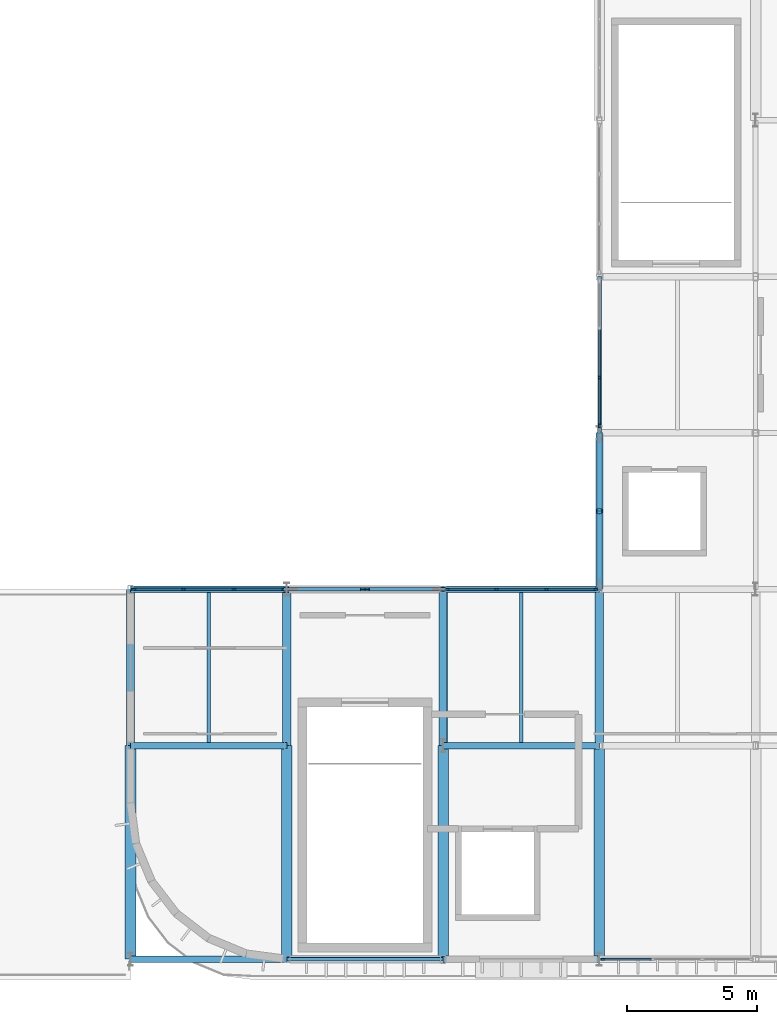
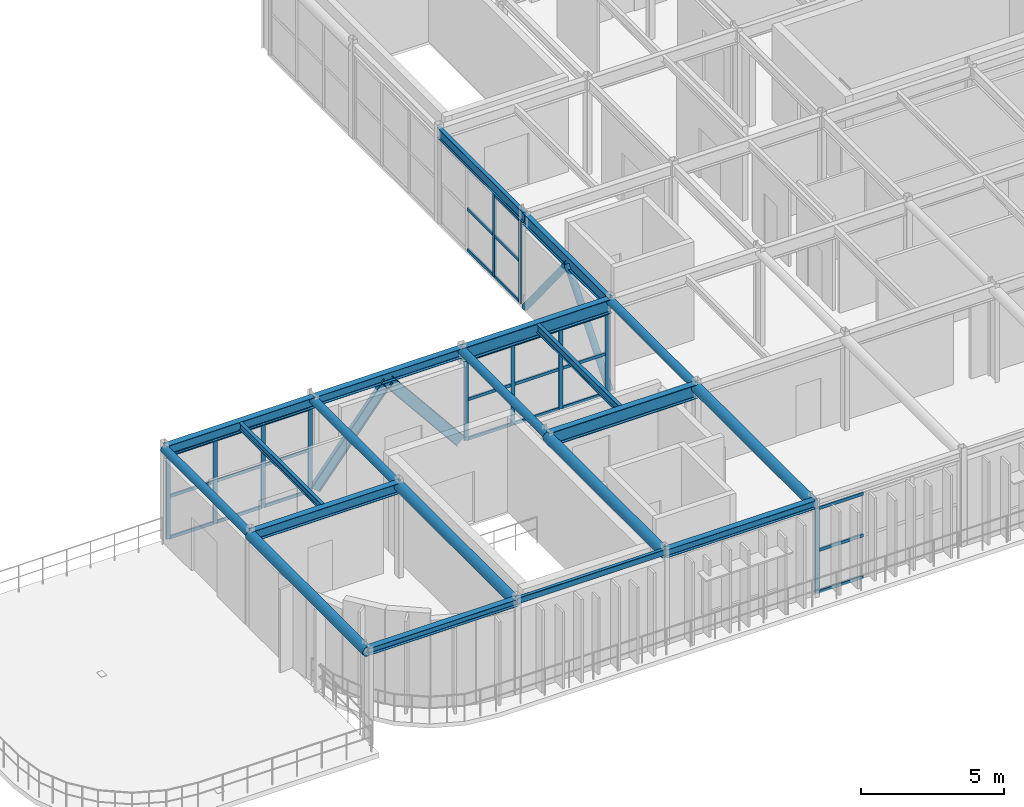
# One storey, part 4 of 14: 41 members, 20 beams, 4 elements without a shape of their own.
"""IFC4 building model written with IfcOpenShell, lengths in metres."""

from ifc_helpers import new_model, si_unit, direction, frame, origin, origin_2d, place, context, subcontext, project, spatial, rectangle, hollow_rectangle, hollow_circle, i_section, extrude, material, material_profile, profile_set, type_object, element, aggregate, save


model = new_model("IFC4")

# Units and contexts
model_context = context("Model", 3, precision=1e-05, world=origin(), true_north=direction((0.0, 1.0)))
body_context = subcontext(model_context, "Body", "Model", "MODEL_VIEW")
ifc_project = project(units=[si_unit("LENGTHUNIT", "METRE"), si_unit("AREAUNIT", "SQUARE_METRE"), si_unit("VOLUMEUNIT", "CUBIC_METRE"), si_unit("PLANEANGLEUNIT", "RADIAN"), si_unit("MASSUNIT", "GRAM", prefix="KILO")], contexts=[model_context])

# Site, building, storey
site_placement = place(None, origin())
site = spatial("IfcSite", under=ifc_project, at=site_placement, CompositionType="ELEMENT")
building_placement = place(site_placement, origin())
building = spatial("IfcBuilding", under=site, at=building_placement, Name="Varnakota Square Police Headquarters", CompositionType="ELEMENT")
storey_placement = place(building_placement, frame((0.0, 0.0, 30.0)))
storey = spatial("IfcBuildingStorey", under=building, at=storey_placement, Name="L07", CompositionType="ELEMENT", Elevation=30.0)

# Beams
ifc_material_1 = material(Name="Steel IS 2062 Grade 350", Category="steel")
ifc_material_profile_1 = material_profile(ifc_material_1, hollow_circle(Radius=0.161865234375, WallThickness=0.0126953125, at=origin_2d()), Name="CHS 323.9x12.7")
ifc_profile_set_1 = profile_set([ifc_material_profile_1], Name="Steel IS 2062 Grade 350")
beam_type_1 = type_object("IfcBeamType", Name="BM-ARC-CHS324", PredefinedType="BEAM", material=ifc_profile_set_1)
for number, where, z_axis, x_axis, name in (
    (1, (120.0, 9.0, 3.878173828125), (0.0, 1.0, 0.0), (-1.0, 0.0, 0.0), "BMG-L07-3422"),
    (2, (126.0, 9.0, 3.878173828125), (0.0, 1.0, 0.0), (-1.0, 0.0, 0.0), "BMG-L07-3424"),
    (3, (132.0, 9.0, 3.878173828125), (0.0, 1.0, 0.0), (-1.0, 0.0, 0.0), "BMG-L07-3426"),
    (4, (138.0, 9.0, 3.878173828125), (0.0, 1.0, 0.0), (-1.0, 0.0, 0.0), "BMG-L07-3428"),
):
    element("IfcBeam", number, at=place(storey_placement, frame(where, z_axis=z_axis, x_axis=x_axis)), inside=storey, type_object=beam_type_1, Name=name, PredefinedType="BEAM", context=body_context, shape_type="SweptSolid", body=[
        extrude(hollow_circle(Radius=0.161865234375, WallThickness=0.0126953125, at=origin_2d()), origin(), (0.0, 0.0, 1.0), 6.0),
    ])
ifc_material_profile_2 = material_profile(ifc_material_1, hollow_circle(Radius=0.203125, WallThickness=0.01611328125, at=origin_2d()), Name="CHS 406.4x16.0")
ifc_profile_set_2 = profile_set([ifc_material_profile_2], Name="Steel IS 2062 Grade 350")
beam_type_2 = type_object("IfcBeamType", Name="BM-ARC-CHS406", PredefinedType="BEAM", material=ifc_profile_set_2)
for number, where, z_axis, x_axis, name in (
    (5, (120.0, 0.800048828125, 3.8369140625), (0.0, 1.0, 0.0), (-1.0, 0.0, 0.0), "BMG-L07-3421"),
    (6, (126.0, 0.800048828125, 3.8369140625), (0.0, 1.0, 0.0), (-1.0, 0.0, 0.0), "BMG-L07-3423"),
    (7, (132.0, 0.800048828125, 3.8369140625), (0.0, 1.0, 0.0), (-1.0, 0.0, 0.0), "BMG-L07-3425"),
    (8, (138.0, 0.800048828125, 3.8369140625), (0.0, 1.0, 0.0), (-1.0, 0.0, 0.0), "BMG-L07-3427"),
):
    element("IfcBeam", number, at=place(storey_placement, frame(where, z_axis=z_axis, x_axis=x_axis)), inside=storey, type_object=beam_type_2, Name=name, PredefinedType="BEAM", context=body_context, shape_type="SweptSolid", body=[
        extrude(hollow_circle(Radius=0.203125, WallThickness=0.01611328125, at=origin_2d()), origin(), (0.0, 0.0, 1.0), 8.199951171875),
    ])
ifc_material_profile_3 = material_profile(ifc_material_1, hollow_rectangle(XDim=0.14990234375, YDim=0.25, WallThickness=0.010009765625, InnerFilletRadius=0.010009765625, OuterFilletRadius=0.02001953125, at=origin_2d()), Name="RHS 250x150x10")
ifc_profile_set_3 = profile_set([ifc_material_profile_3], Name="Steel IS 2062 Grade 350")
beam_type_3 = type_object("IfcBeamType", Name="BM-CBEAM-RHS250", PredefinedType="BEAM", material=ifc_profile_set_3)
beam_1_placement = place(storey_placement, frame((126.0, 0.800048828125, 3.9150390625), z_axis=(1.0, 0.0, 0.0), x_axis=(0.0, 1.0, 0.0)))
element("IfcBeam", 9, at=beam_1_placement, inside=storey, type_object=beam_type_3, Name="BMG-L07-3388", PredefinedType="BEAM", context=body_context, shape_type="SweptSolid", body=[
    extrude(hollow_rectangle(XDim=0.14990234375, YDim=0.25, WallThickness=0.010009765625, InnerFilletRadius=0.010009765625, OuterFilletRadius=0.02001953125, at=origin_2d()), origin(), (0.0, 0.0, 1.0), 6.0),
])
ifc_material_profile_4 = material_profile(ifc_material_1, i_section(OverallWidth=0.25, OverallDepth=0.300048828125, WebThickness=0.009521484375, FlangeThickness=0.010498046875, FilletRadius=0.011962890625, at=origin_2d()), Name="ISHB 300")
ifc_profile_set_4 = profile_set([ifc_material_profile_4], Name="Steel IS 2062 Grade 350")
beam_type_4 = type_object("IfcBeamType", Name="BM-ISHB300", PredefinedType="BEAM", material=ifc_profile_set_4)
beam_2_placement = place(storey_placement, frame((120.0, 0.800048828125, 3.889892578125), z_axis=(1.0, 0.0, 0.0), x_axis=(0.0, 1.0, 0.0)))
element("IfcBeam", 10, at=beam_2_placement, inside=storey, type_object=beam_type_4, Name="BMG-L07-3387", PredefinedType="BEAM", context=body_context, shape_type="SweptSolid", body=[
    extrude(i_section(OverallWidth=0.25, OverallDepth=0.300048828125, WebThickness=0.009521484375, FlangeThickness=0.010498046875, FilletRadius=0.011962890625, at=origin_2d()), origin(), (0.0, 0.0, 1.0), 6.0),
])
ifc_material_profile_5 = material_profile(ifc_material_1, i_section(OverallWidth=0.25, OverallDepth=0.35009765625, WebThickness=0.010009765625, FlangeThickness=0.01171875, FilletRadius=0.011962890625, at=origin_2d()), Name="ISHB 350")
ifc_profile_set_5 = profile_set([ifc_material_profile_5], Name="Steel IS 2062 Grade 350")
beam_type_5 = type_object("IfcBeamType", Name="BM-ISHB350", PredefinedType="BEAM", material=ifc_profile_set_5)
beam_3_placement = place(storey_placement, frame((132.0, 0.800048828125, 3.864990234375), z_axis=(1.0, 0.0, 0.0), x_axis=(0.0, 1.0, 0.0)))
element("IfcBeam", 11, at=beam_3_placement, inside=storey, type_object=beam_type_5, Name="BMG-L07-3389", PredefinedType="BEAM", context=body_context, shape_type="SweptSolid", body=[
    extrude(i_section(OverallWidth=0.25, OverallDepth=0.35009765625, WebThickness=0.010009765625, FlangeThickness=0.01171875, FilletRadius=0.011962890625, at=origin_2d()), origin(), (0.0, 0.0, 1.0), 6.0),
])
ifc_material_profile_6 = material_profile(ifc_material_1, i_section(OverallWidth=0.25, OverallDepth=0.39990234375, WebThickness=0.010498046875, FlangeThickness=0.0126953125, FilletRadius=0.013916015625, at=origin_2d()), Name="ISHB 400")
ifc_profile_set_6 = profile_set([ifc_material_profile_6], Name="Steel IS 2062 Grade 350")
beam_type_6 = type_object("IfcBeamType", Name="BM-ISHB400", PredefinedType="BEAM", material=ifc_profile_set_6)
beam_4_placement = place(storey_placement, frame((126.0, 15.0, 3.840087890625), z_axis=(1.0, 0.0, 0.0), x_axis=(0.0, 1.0, 0.0)))
element("IfcBeam", 12, at=beam_4_placement, inside=storey, type_object=beam_type_6, Name="BMG-L07-3400", PredefinedType="BEAM", context=body_context, shape_type="SweptSolid", body=[
    extrude(i_section(OverallWidth=0.25, OverallDepth=0.39990234375, WebThickness=0.010498046875, FlangeThickness=0.0126953125, FilletRadius=0.013916015625, at=origin_2d()), origin(), (0.0, 0.0, 1.0), 6.0),
])
ifc_material_profile_7 = material_profile(ifc_material_1, i_section(OverallWidth=0.25, OverallDepth=0.449951171875, WebThickness=0.01123046875, FlangeThickness=0.013671875, FilletRadius=0.014892578125, at=origin_2d()), Name="ISHB 450")
ifc_profile_set_7 = profile_set([ifc_material_profile_7], Name="Steel IS 2062 Grade 350")
beam_type_7 = type_object("IfcBeamType", Name="BM-ISHB450", PredefinedType="BEAM", material=ifc_profile_set_7)
for number, where, z_axis, x_axis, name in (
    (13, (120.0, 9.0, 3.81494140625), (1.0, 0.0, 0.0), (0.0, 1.0, 0.0), "BMG-L07-3393"),
    (14, (120.0, 15.0, 3.81494140625), (1.0, 0.0, 0.0), (0.0, 1.0, 0.0), "BMG-L07-3399"),
):
    element("IfcBeam", number, at=place(storey_placement, frame(where, z_axis=z_axis, x_axis=x_axis)), inside=storey, type_object=beam_type_7, Name=name, PredefinedType="BEAM", context=body_context, shape_type="SweptSolid", body=[
        extrude(i_section(OverallWidth=0.25, OverallDepth=0.449951171875, WebThickness=0.01123046875, FlangeThickness=0.013671875, FilletRadius=0.014892578125, at=origin_2d()), origin(), (0.0, 0.0, 1.0), 6.0),
    ])
ifc_material_profile_8 = material_profile(ifc_material_1, i_section(OverallWidth=0.139892578125, OverallDepth=0.300048828125, WebThickness=0.0078125, FlangeThickness=0.01318359375, FilletRadius=0.013916015625, at=origin_2d()), Name="ISMB 300")
ifc_profile_set_8 = profile_set([ifc_material_profile_8], Name="Steel IS 2062 Grade 350")
beam_type_8 = type_object("IfcBeamType", Name="BM-ISMB300", PredefinedType="JOIST", material=ifc_profile_set_8)
beam_5_placement = place(storey_placement, frame((123.0, 9.123046875, 3.889892578125), z_axis=(0.0, 1.0, 0.0), x_axis=(-1.0, 0.0, 0.0)))
element("IfcBeam", 15, at=beam_5_placement, inside=storey, type_object=beam_type_8, Name="BMG-L07-3454", PredefinedType="JOIST", context=body_context, shape_type="SweptSolid", body=[
    extrude(i_section(OverallWidth=0.139892578125, OverallDepth=0.300048828125, WebThickness=0.0078125, FlangeThickness=0.01318359375, FilletRadius=0.013916015625, at=origin_2d()), origin(), (0.0, 0.0, 1.0), 5.75390625),
])
ifc_material_profile_9 = material_profile(ifc_material_1, i_section(OverallWidth=0.139892578125, OverallDepth=0.35009765625, WebThickness=0.008056640625, FlangeThickness=0.01416015625, FilletRadius=0.013916015625, at=origin_2d()), Name="ISMB 350")
ifc_profile_set_9 = profile_set([ifc_material_profile_9], Name="Steel IS 2062 Grade 350")
beam_type_9 = type_object("IfcBeamType", Name="BM-ISMB350", PredefinedType="JOIST", material=ifc_profile_set_9)
beam_6_placement = place(storey_placement, frame((135.0, 9.123046875, 3.864990234375), z_axis=(0.0, 1.0, 0.0), x_axis=(-1.0, 0.0, 0.0)))
element("IfcBeam", 16, at=beam_6_placement, inside=storey, type_object=beam_type_9, Name="BMG-L07-3455", PredefinedType="JOIST", context=body_context, shape_type="SweptSolid", body=[
    extrude(i_section(OverallWidth=0.139892578125, OverallDepth=0.35009765625, WebThickness=0.008056640625, FlangeThickness=0.01416015625, FilletRadius=0.013916015625, at=origin_2d()), origin(), (0.0, 0.0, 1.0), 5.75390625),
])
ifc_material_profile_10 = material_profile(ifc_material_1, i_section(OverallWidth=0.14990234375, OverallDepth=0.449951171875, WebThickness=0.009521484375, FlangeThickness=0.017333984375, FilletRadius=0.014892578125, at=origin_2d()), Name="ISMB 450")
ifc_profile_set_10 = profile_set([ifc_material_profile_10], Name="Steel IS 2062 Grade 350")
beam_type_10 = type_object("IfcBeamType", Name="BM-ISMB450", PredefinedType="BEAM", material=ifc_profile_set_10)
beam_7_placement = place(storey_placement, frame((138.0, 21.0, 3.81494140625), z_axis=(0.0, 1.0, 0.0), x_axis=(-1.0, 0.0, 0.0)))
element("IfcBeam", 17, at=beam_7_placement, inside=storey, type_object=beam_type_10, Name="BMG-L07-3430", PredefinedType="BEAM", context=body_context, shape_type="SweptSolid", body=[
    extrude(i_section(OverallWidth=0.14990234375, OverallDepth=0.449951171875, WebThickness=0.009521484375, FlangeThickness=0.017333984375, FilletRadius=0.014892578125, at=origin_2d()), origin(), (0.0, 0.0, 1.0), 6.0),
])
ifc_material_profile_11 = material_profile(ifc_material_1, i_section(OverallWidth=0.179931640625, OverallDepth=0.5, WebThickness=0.01025390625, FlangeThickness=0.01708984375, FilletRadius=0.01708984375, at=origin_2d()), Name="ISMB 500")
ifc_profile_set_11 = profile_set([ifc_material_profile_11], Name="Steel IS 2062 Grade 350")
beam_type_11 = type_object("IfcBeamType", Name="BM-ISMB500", PredefinedType="BEAM", material=ifc_profile_set_11)
beam_8_placement = place(storey_placement, frame((138.0, 15.0, 3.7900390625), z_axis=(0.0, 1.0, 0.0), x_axis=(-1.0, 0.0, 0.0)))
element("IfcBeam", 18, at=beam_8_placement, inside=storey, type_object=beam_type_11, Name="BMG-L07-3429", PredefinedType="BEAM", context=body_context, shape_type="SweptSolid", body=[
    extrude(i_section(OverallWidth=0.179931640625, OverallDepth=0.5, WebThickness=0.01025390625, FlangeThickness=0.01708984375, FilletRadius=0.01708984375, at=origin_2d()), origin(), (0.0, 0.0, 1.0), 6.0),
])
ifc_material_profile_12 = material_profile(ifc_material_1, i_section(OverallWidth=0.25, OverallDepth=0.60009765625, WebThickness=0.01171875, FlangeThickness=0.023681640625, FilletRadius=0.01708984375, at=origin_2d()), Name="ISWB 600")
ifc_profile_set_12 = profile_set([ifc_material_profile_12], Name="Steel IS 2062 Grade 350")
beam_type_12 = type_object("IfcBeamType", Name="BM-ISWB600", PredefinedType="BEAM", material=ifc_profile_set_12)
for number, where, z_axis, x_axis, name in (
    (19, (132.0, 9.0, 3.739990234375), (1.0, 0.0, 0.0), (0.0, 1.0, 0.0), "BMG-L07-3394"),
    (20, (132.0, 15.0, 3.739990234375), (1.0, 0.0, 0.0), (0.0, 1.0, 0.0), "BMG-L07-3401"),
):
    element("IfcBeam", number, at=place(storey_placement, frame(where, z_axis=z_axis, x_axis=x_axis)), inside=storey, type_object=beam_type_12, Name=name, PredefinedType="BEAM", context=body_context, shape_type="SweptSolid", body=[
        extrude(i_section(OverallWidth=0.25, OverallDepth=0.60009765625, WebThickness=0.01171875, FlangeThickness=0.023681640625, FilletRadius=0.01708984375, at=origin_2d()), origin(), (0.0, 0.0, 1.0), 6.0),
    ])

# Curtain wall, member
ifc_material_2 = material(Name="Anodised Aluminium Framing", Category="aluminium")
curtain_wall_type_1 = type_object("IfcCurtainWallType", Name="CW-SYS-F", PredefinedType="NOTDEFINED", material=ifc_material_2)
curtain_wall_1_placement = place(storey_placement, origin())
curtain_wall_1 = element("IfcCurtainWall", 21, at=curtain_wall_1_placement, inside=storey, type_object=curtain_wall_type_1, Name="Unitised curtain wall CWG-L07-120", PredefinedType="NOTDEFINED")
ifc_material_3 = material(Name="Anodised Aluminium 6063-T6", Category="aluminium")
ifc_material_profile_13 = material_profile(ifc_material_3, rectangle(XDim=0.06494140625, YDim=0.159912109375, at=origin_2d()), Name="ALU MULLION 65x160")
ifc_profile_set_13 = profile_set([ifc_material_profile_13], Name="Anodised Aluminium 6063-T6")
member_type_1 = type_object("IfcMemberType", Name="CWM-150", PredefinedType="MULLION", material=ifc_profile_set_13)
member_1_placement = place(storey_placement, frame((138.12744140625, 0.800048828125, 0.0), z_axis=(0.0, 0.0, 1.0), x_axis=(0.0, 1.0, 0.0)))
member_1 = element("IfcMember", 22, at=member_1_placement, type_object=member_type_1, Name="CWG-L07-120 mullion 1", PredefinedType="MULLION", context=body_context, shape_type="SweptSolid", body=[
    extrude(rectangle(XDim=0.06494140625, YDim=0.159912109375, at=origin_2d()), origin(), (0.0, 0.0, 1.0), 3.62353515625),
])

# Curtain wall, members
curtain_wall_type_2 = type_object("IfcCurtainWallType", Name="CW-SYS-D", PredefinedType="NOTDEFINED", material=ifc_material_2)
curtain_wall_2_placement = place(storey_placement, origin())
curtain_wall_2 = element("IfcCurtainWall", 23, at=curtain_wall_2_placement, inside=storey, type_object=curtain_wall_type_2, Name="Unitised curtain wall CWG-L07-122", PredefinedType="NOTDEFINED")
member_2_placement = place(storey_placement, frame((120.137451171875, 15.0, 0.0), z_axis=(0.0, 0.0, 1.0), x_axis=(0.0, 1.0, 0.0)))
member_2 = element("IfcMember", 24, at=member_2_placement, type_object=member_type_1, Name="CWG-L07-122 mullion 1", PredefinedType="MULLION", context=body_context, shape_type="SweptSolid", body=[
    extrude(rectangle(XDim=0.06494140625, YDim=0.159912109375, at=origin_2d()), origin(), (0.0, 0.0, 1.0), 3.580078125),
])
member_3_placement = place(storey_placement, frame((122.038330078125, 15.0, 0.0), z_axis=(0.0, 0.0, 1.0), x_axis=(0.0, 1.0, 0.0)))
member_3 = element("IfcMember", 25, at=member_3_placement, type_object=member_type_1, Name="CWG-L07-122 mullion 2", PredefinedType="MULLION", context=body_context, shape_type="SweptSolid", body=[
    extrude(rectangle(XDim=0.06494140625, YDim=0.159912109375, at=origin_2d()), origin(), (0.0, 0.0, 1.0), 3.580078125),
])
member_4_placement = place(storey_placement, frame((123.9716796875, 15.0, 0.0), z_axis=(0.0, 0.0, 1.0), x_axis=(0.0, 1.0, 0.0)))
member_4 = element("IfcMember", 26, at=member_4_placement, type_object=member_type_1, Name="CWG-L07-122 mullion 3", PredefinedType="MULLION", context=body_context, shape_type="SweptSolid", body=[
    extrude(rectangle(XDim=0.06494140625, YDim=0.159912109375, at=origin_2d()), origin(), (0.0, 0.0, 1.0), 3.580078125),
])
member_5_placement = place(storey_placement, frame((125.87255859375, 15.0, 0.0), z_axis=(0.0, 0.0, 1.0), x_axis=(0.0, 1.0, 0.0)))
member_5 = element("IfcMember", 27, at=member_5_placement, type_object=member_type_1, Name="CWG-L07-122 mullion 4", PredefinedType="MULLION", context=body_context, shape_type="SweptSolid", body=[
    extrude(rectangle(XDim=0.06494140625, YDim=0.159912109375, at=origin_2d()), origin(), (0.0, 0.0, 1.0), 3.580078125),
])

curtain_wall_3_placement = place(storey_placement, origin())
curtain_wall_3 = element("IfcCurtainWall", 28, at=curtain_wall_3_placement, inside=storey, type_object=curtain_wall_type_2, Name="Unitised curtain wall CWG-L07-123", PredefinedType="NOTDEFINED")
member_6_placement = place(storey_placement, frame((132.16259765625, 15.0, 0.0), z_axis=(0.0, 0.0, 1.0), x_axis=(0.0, 1.0, 0.0)))
member_6 = element("IfcMember", 29, at=member_6_placement, type_object=member_type_1, Name="CWG-L07-123 mullion 1", PredefinedType="MULLION", context=body_context, shape_type="SweptSolid", body=[
    extrude(rectangle(XDim=0.06494140625, YDim=0.159912109375, at=origin_2d()), origin(), (0.0, 0.0, 1.0), 3.429931640625),
])
member_7_placement = place(storey_placement, frame((134.0517578125, 15.0, 0.0), z_axis=(0.0, 0.0, 1.0), x_axis=(0.0, 1.0, 0.0)))
member_7 = element("IfcMember", 30, at=member_7_placement, type_object=member_type_1, Name="CWG-L07-123 mullion 2", PredefinedType="MULLION", context=body_context, shape_type="SweptSolid", body=[
    extrude(rectangle(XDim=0.06494140625, YDim=0.159912109375, at=origin_2d()), origin(), (0.0, 0.0, 1.0), 3.429931640625),
])
member_8_placement = place(storey_placement, frame((135.973388671875, 15.0, 0.0), z_axis=(0.0, 0.0, 1.0), x_axis=(0.0, 1.0, 0.0)))
member_8 = element("IfcMember", 31, at=member_8_placement, type_object=member_type_1, Name="CWG-L07-123 mullion 3", PredefinedType="MULLION", context=body_context, shape_type="SweptSolid", body=[
    extrude(rectangle(XDim=0.06494140625, YDim=0.159912109375, at=origin_2d()), origin(), (0.0, 0.0, 1.0), 3.429931640625),
])
member_9_placement = place(storey_placement, frame((137.862548828125, 15.0, 0.0), z_axis=(0.0, 0.0, 1.0), x_axis=(0.0, 1.0, 0.0)))
member_9 = element("IfcMember", 32, at=member_9_placement, type_object=member_type_1, Name="CWG-L07-123 mullion 4", PredefinedType="MULLION", context=body_context, shape_type="SweptSolid", body=[
    extrude(rectangle(XDim=0.06494140625, YDim=0.159912109375, at=origin_2d()), origin(), (0.0, 0.0, 1.0), 3.429931640625),
])

curtain_wall_type_3 = type_object("IfcCurtainWallType", Name="CW-SYS-E", PredefinedType="NOTDEFINED", material=ifc_material_2)
curtain_wall_4_placement = place(storey_placement, origin())
curtain_wall_4 = element("IfcCurtainWall", 33, at=curtain_wall_4_placement, inside=storey, type_object=curtain_wall_type_3, Name="Unitised curtain wall CWG-L07-124", PredefinedType="NOTDEFINED")
member_10_placement = place(storey_placement, frame((138.0, 21.28759765625, 0.0), z_axis=(0.0, 0.0, 1.0), x_axis=(-1.0, 0.0, 0.0)))
member_10 = element("IfcMember", 34, at=member_10_placement, type_object=member_type_1, Name="CWG-L07-124 mullion 1", PredefinedType="MULLION", context=body_context, shape_type="SweptSolid", body=[
    extrude(rectangle(XDim=0.06494140625, YDim=0.159912109375, at=origin_2d()), origin(), (0.0, 0.0, 1.0), 3.530029296875),
])
member_11_placement = place(storey_placement, frame((138.0, 23.126708984375, 0.0), z_axis=(0.0, 0.0, 1.0), x_axis=(-1.0, 0.0, 0.0)))
member_11 = element("IfcMember", 35, at=member_11_placement, type_object=member_type_1, Name="CWG-L07-124 mullion 2", PredefinedType="MULLION", context=body_context, shape_type="SweptSolid", body=[
    extrude(rectangle(XDim=0.06494140625, YDim=0.159912109375, at=origin_2d()), origin(), (0.0, 0.0, 1.0), 3.530029296875),
])

# Member
ifc_material_profile_14 = material_profile(ifc_material_3, rectangle(XDim=0.06494140625, YDim=0.1298828125, at=origin_2d()), Name="ALU TRANSOM 65x130")
ifc_profile_set_14 = profile_set([ifc_material_profile_14], Name="Anodised Aluminium 6063-T6")
member_type_2 = type_object("IfcMemberType", Name="CWT-120", PredefinedType="USERDEFINED", material=ifc_profile_set_14)
member_12_placement = place(storey_placement, frame((138.159912109375, 0.800048828125, 0.032470703125), z_axis=(1.0, 0.0, 0.0), x_axis=(0.0, 1.0, 0.0)))
member_12 = element("IfcMember", 36, at=member_12_placement, type_object=member_type_2, Name="CWG-L07-120 transom 1.1", ObjectType="TRANSOM", PredefinedType="USERDEFINED", context=body_context, shape_type="SweptSolid", body=[
    extrude(rectangle(XDim=0.06494140625, YDim=0.1298828125, at=origin_2d()), origin(), (0.0, 0.0, 1.0), 1.82763671875),
])

member_13_placement = place(storey_placement, frame((138.159912109375, 0.800048828125, 1.811767578125), z_axis=(1.0, 0.0, 0.0), x_axis=(0.0, 1.0, 0.0)))
member_13 = element("IfcMember", 37, at=member_13_placement, type_object=member_type_2, Name="CWG-L07-120 transom 1.2", ObjectType="TRANSOM", PredefinedType="USERDEFINED", context=body_context, shape_type="SweptSolid", body=[
    extrude(rectangle(XDim=0.06494140625, YDim=0.1298828125, at=origin_2d()), origin(), (0.0, 0.0, 1.0), 1.82763671875),
])

member_14_placement = place(storey_placement, frame((138.159912109375, 0.800048828125, 3.591064453125), z_axis=(1.0, 0.0, 0.0), x_axis=(0.0, 1.0, 0.0)))
member_14 = element("IfcMember", 38, at=member_14_placement, type_object=member_type_2, Name="CWG-L07-120 transom 1.3", ObjectType="TRANSOM", PredefinedType="USERDEFINED", context=body_context, shape_type="SweptSolid", body=[
    extrude(rectangle(XDim=0.06494140625, YDim=0.1298828125, at=origin_2d()), origin(), (0.0, 0.0, 1.0), 1.82763671875),
])

aggregate(curtain_wall_1, [member_1, member_12, member_13, member_14])

member_15_placement = place(storey_placement, frame((120.169921875, 15.0, 0.032470703125), z_axis=(1.0, 0.0, 0.0), x_axis=(0.0, 1.0, 0.0)))
member_15 = element("IfcMember", 39, at=member_15_placement, type_object=member_type_2, Name="CWG-L07-122 transom 1.1", ObjectType="TRANSOM", PredefinedType="USERDEFINED", context=body_context, shape_type="SweptSolid", body=[
    extrude(rectangle(XDim=0.06494140625, YDim=0.1298828125, at=origin_2d()), origin(), (0.0, 0.0, 1.0), 1.8359375),
])

member_16_placement = place(storey_placement, frame((120.169921875, 15.0, 1.7900390625), z_axis=(1.0, 0.0, 0.0), x_axis=(0.0, 1.0, 0.0)))
member_16 = element("IfcMember", 40, at=member_16_placement, type_object=member_type_2, Name="CWG-L07-122 transom 1.2", ObjectType="TRANSOM", PredefinedType="USERDEFINED", context=body_context, shape_type="SweptSolid", body=[
    extrude(rectangle(XDim=0.06494140625, YDim=0.1298828125, at=origin_2d()), origin(), (0.0, 0.0, 1.0), 1.8359375),
])

member_17_placement = place(storey_placement, frame((120.169921875, 15.0, 3.547607421875), z_axis=(1.0, 0.0, 0.0), x_axis=(0.0, 1.0, 0.0)))
member_17 = element("IfcMember", 41, at=member_17_placement, type_object=member_type_2, Name="CWG-L07-122 transom 1.3", ObjectType="TRANSOM", PredefinedType="USERDEFINED", context=body_context, shape_type="SweptSolid", body=[
    extrude(rectangle(XDim=0.06494140625, YDim=0.1298828125, at=origin_2d()), origin(), (0.0, 0.0, 1.0), 1.8359375),
])

member_18_placement = place(storey_placement, frame((122.07080078125, 15.0, 0.032470703125), z_axis=(1.0, 0.0, 0.0), x_axis=(0.0, 1.0, 0.0)))
member_18 = element("IfcMember", 42, at=member_18_placement, type_object=member_type_2, Name="CWG-L07-122 transom 2.1", ObjectType="TRANSOM", PredefinedType="USERDEFINED", context=body_context, shape_type="SweptSolid", body=[
    extrude(rectangle(XDim=0.06494140625, YDim=0.1298828125, at=origin_2d()), origin(), (0.0, 0.0, 1.0), 1.868408203125),
])

member_19_placement = place(storey_placement, frame((122.07080078125, 15.0, 1.7900390625), z_axis=(1.0, 0.0, 0.0), x_axis=(0.0, 1.0, 0.0)))
member_19 = element("IfcMember", 43, at=member_19_placement, type_object=member_type_2, Name="CWG-L07-122 transom 2.2", ObjectType="TRANSOM", PredefinedType="USERDEFINED", context=body_context, shape_type="SweptSolid", body=[
    extrude(rectangle(XDim=0.06494140625, YDim=0.1298828125, at=origin_2d()), origin(), (0.0, 0.0, 1.0), 1.868408203125),
])

member_20_placement = place(storey_placement, frame((122.07080078125, 15.0, 3.547607421875), z_axis=(1.0, 0.0, 0.0), x_axis=(0.0, 1.0, 0.0)))
member_20 = element("IfcMember", 44, at=member_20_placement, type_object=member_type_2, Name="CWG-L07-122 transom 2.3", ObjectType="TRANSOM", PredefinedType="USERDEFINED", context=body_context, shape_type="SweptSolid", body=[
    extrude(rectangle(XDim=0.06494140625, YDim=0.1298828125, at=origin_2d()), origin(), (0.0, 0.0, 1.0), 1.868408203125),
])

member_21_placement = place(storey_placement, frame((124.004150390625, 15.0, 0.032470703125), z_axis=(1.0, 0.0, 0.0), x_axis=(0.0, 1.0, 0.0)))
member_21 = element("IfcMember", 45, at=member_21_placement, type_object=member_type_2, Name="CWG-L07-122 transom 3.1", ObjectType="TRANSOM", PredefinedType="USERDEFINED", context=body_context, shape_type="SweptSolid", body=[
    extrude(rectangle(XDim=0.06494140625, YDim=0.1298828125, at=origin_2d()), origin(), (0.0, 0.0, 1.0), 1.8359375),
])

member_22_placement = place(storey_placement, frame((124.004150390625, 15.0, 1.7900390625), z_axis=(1.0, 0.0, 0.0), x_axis=(0.0, 1.0, 0.0)))
member_22 = element("IfcMember", 46, at=member_22_placement, type_object=member_type_2, Name="CWG-L07-122 transom 3.2", ObjectType="TRANSOM", PredefinedType="USERDEFINED", context=body_context, shape_type="SweptSolid", body=[
    extrude(rectangle(XDim=0.06494140625, YDim=0.1298828125, at=origin_2d()), origin(), (0.0, 0.0, 1.0), 1.8359375),
])

member_23_placement = place(storey_placement, frame((124.004150390625, 15.0, 3.547607421875), z_axis=(1.0, 0.0, 0.0), x_axis=(0.0, 1.0, 0.0)))
member_23 = element("IfcMember", 47, at=member_23_placement, type_object=member_type_2, Name="CWG-L07-122 transom 3.3", ObjectType="TRANSOM", PredefinedType="USERDEFINED", context=body_context, shape_type="SweptSolid", body=[
    extrude(rectangle(XDim=0.06494140625, YDim=0.1298828125, at=origin_2d()), origin(), (0.0, 0.0, 1.0), 1.8359375),
])

aggregate(curtain_wall_2, [member_2, member_3, member_4, member_5, member_15, member_16, member_17, member_18, member_19, member_20, member_21, member_22, member_23])

member_24_placement = place(storey_placement, frame((132.195068359375, 15.0, 0.032470703125), z_axis=(1.0, 0.0, 0.0), x_axis=(0.0, 1.0, 0.0)))
member_24 = element("IfcMember", 48, at=member_24_placement, type_object=member_type_2, Name="CWG-L07-123 transom 1.1", ObjectType="TRANSOM", PredefinedType="USERDEFINED", context=body_context, shape_type="SweptSolid", body=[
    extrude(rectangle(XDim=0.06494140625, YDim=0.1298828125, at=origin_2d()), origin(), (0.0, 0.0, 1.0), 1.82421875),
])

member_25_placement = place(storey_placement, frame((132.195068359375, 15.0, 1.715087890625), z_axis=(1.0, 0.0, 0.0), x_axis=(0.0, 1.0, 0.0)))
member_25 = element("IfcMember", 49, at=member_25_placement, type_object=member_type_2, Name="CWG-L07-123 transom 1.2", ObjectType="TRANSOM", PredefinedType="USERDEFINED", context=body_context, shape_type="SweptSolid", body=[
    extrude(rectangle(XDim=0.06494140625, YDim=0.1298828125, at=origin_2d()), origin(), (0.0, 0.0, 1.0), 1.82421875),
])

member_26_placement = place(storey_placement, frame((132.195068359375, 15.0, 3.3974609375), z_axis=(1.0, 0.0, 0.0), x_axis=(0.0, 1.0, 0.0)))
member_26 = element("IfcMember", 50, at=member_26_placement, type_object=member_type_2, Name="CWG-L07-123 transom 1.3", ObjectType="TRANSOM", PredefinedType="USERDEFINED", context=body_context, shape_type="SweptSolid", body=[
    extrude(rectangle(XDim=0.06494140625, YDim=0.1298828125, at=origin_2d()), origin(), (0.0, 0.0, 1.0), 1.82421875),
])

member_27_placement = place(storey_placement, frame((134.084228515625, 15.0, 0.032470703125), z_axis=(1.0, 0.0, 0.0), x_axis=(0.0, 1.0, 0.0)))
member_27 = element("IfcMember", 51, at=member_27_placement, type_object=member_type_2, Name="CWG-L07-123 transom 2.1", ObjectType="TRANSOM", PredefinedType="USERDEFINED", context=body_context, shape_type="SweptSolid", body=[
    extrude(rectangle(XDim=0.06494140625, YDim=0.1298828125, at=origin_2d()), origin(), (0.0, 0.0, 1.0), 1.856689453125),
])

member_28_placement = place(storey_placement, frame((134.084228515625, 15.0, 1.715087890625), z_axis=(1.0, 0.0, 0.0), x_axis=(0.0, 1.0, 0.0)))
member_28 = element("IfcMember", 52, at=member_28_placement, type_object=member_type_2, Name="CWG-L07-123 transom 2.2", ObjectType="TRANSOM", PredefinedType="USERDEFINED", context=body_context, shape_type="SweptSolid", body=[
    extrude(rectangle(XDim=0.06494140625, YDim=0.1298828125, at=origin_2d()), origin(), (0.0, 0.0, 1.0), 1.856689453125),
])

member_29_placement = place(storey_placement, frame((134.084228515625, 15.0, 3.3974609375), z_axis=(1.0, 0.0, 0.0), x_axis=(0.0, 1.0, 0.0)))
member_29 = element("IfcMember", 53, at=member_29_placement, type_object=member_type_2, Name="CWG-L07-123 transom 2.3", ObjectType="TRANSOM", PredefinedType="USERDEFINED", context=body_context, shape_type="SweptSolid", body=[
    extrude(rectangle(XDim=0.06494140625, YDim=0.1298828125, at=origin_2d()), origin(), (0.0, 0.0, 1.0), 1.856689453125),
])

member_30_placement = place(storey_placement, frame((136.005859375, 15.0, 0.032470703125), z_axis=(1.0, 0.0, 0.0), x_axis=(0.0, 1.0, 0.0)))
member_30 = element("IfcMember", 54, at=member_30_placement, type_object=member_type_2, Name="CWG-L07-123 transom 3.1", ObjectType="TRANSOM", PredefinedType="USERDEFINED", context=body_context, shape_type="SweptSolid", body=[
    extrude(rectangle(XDim=0.06494140625, YDim=0.1298828125, at=origin_2d()), origin(), (0.0, 0.0, 1.0), 1.82421875),
])

member_31_placement = place(storey_placement, frame((136.005859375, 15.0, 1.715087890625), z_axis=(1.0, 0.0, 0.0), x_axis=(0.0, 1.0, 0.0)))
member_31 = element("IfcMember", 55, at=member_31_placement, type_object=member_type_2, Name="CWG-L07-123 transom 3.2", ObjectType="TRANSOM", PredefinedType="USERDEFINED", context=body_context, shape_type="SweptSolid", body=[
    extrude(rectangle(XDim=0.06494140625, YDim=0.1298828125, at=origin_2d()), origin(), (0.0, 0.0, 1.0), 1.82421875),
])

member_32_placement = place(storey_placement, frame((136.005859375, 15.0, 3.3974609375), z_axis=(1.0, 0.0, 0.0), x_axis=(0.0, 1.0, 0.0)))
member_32 = element("IfcMember", 56, at=member_32_placement, type_object=member_type_2, Name="CWG-L07-123 transom 3.3", ObjectType="TRANSOM", PredefinedType="USERDEFINED", context=body_context, shape_type="SweptSolid", body=[
    extrude(rectangle(XDim=0.06494140625, YDim=0.1298828125, at=origin_2d()), origin(), (0.0, 0.0, 1.0), 1.82421875),
])

aggregate(curtain_wall_3, [member_6, member_7, member_8, member_9, member_24, member_25, member_26, member_27, member_28, member_29, member_30, member_31, member_32])

member_33_placement = place(storey_placement, frame((138.0, 21.320068359375, 0.032470703125), z_axis=(0.0, 1.0, 0.0), x_axis=(-1.0, 0.0, 0.0)))
member_33 = element("IfcMember", 57, at=member_33_placement, type_object=member_type_2, Name="CWG-L07-124 transom 1.1", ObjectType="TRANSOM", PredefinedType="USERDEFINED", context=body_context, shape_type="SweptSolid", body=[
    extrude(rectangle(XDim=0.06494140625, YDim=0.1298828125, at=origin_2d()), origin(), (0.0, 0.0, 1.0), 1.774169921875),
])

member_34_placement = place(storey_placement, frame((138.0, 21.320068359375, 1.764892578125), z_axis=(0.0, 1.0, 0.0), x_axis=(-1.0, 0.0, 0.0)))
member_34 = element("IfcMember", 58, at=member_34_placement, type_object=member_type_2, Name="CWG-L07-124 transom 1.2", ObjectType="TRANSOM", PredefinedType="USERDEFINED", context=body_context, shape_type="SweptSolid", body=[
    extrude(rectangle(XDim=0.06494140625, YDim=0.1298828125, at=origin_2d()), origin(), (0.0, 0.0, 1.0), 1.774169921875),
])

member_35_placement = place(storey_placement, frame((138.0, 21.320068359375, 3.49755859375), z_axis=(0.0, 1.0, 0.0), x_axis=(-1.0, 0.0, 0.0)))
member_35 = element("IfcMember", 59, at=member_35_placement, type_object=member_type_2, Name="CWG-L07-124 transom 1.3", ObjectType="TRANSOM", PredefinedType="USERDEFINED", context=body_context, shape_type="SweptSolid", body=[
    extrude(rectangle(XDim=0.06494140625, YDim=0.1298828125, at=origin_2d()), origin(), (0.0, 0.0, 1.0), 1.774169921875),
])

member_36_placement = place(storey_placement, frame((138.0, 23.1591796875, 0.032470703125), z_axis=(0.0, 1.0, 0.0), x_axis=(-1.0, 0.0, 0.0)))
member_36 = element("IfcMember", 60, at=member_36_placement, type_object=member_type_2, Name="CWG-L07-124 transom 2.1", ObjectType="TRANSOM", PredefinedType="USERDEFINED", context=body_context, shape_type="SweptSolid", body=[
    extrude(rectangle(XDim=0.06494140625, YDim=0.1298828125, at=origin_2d()), origin(), (0.0, 0.0, 1.0), 1.806640625),
])

member_37_placement = place(storey_placement, frame((138.0, 23.1591796875, 1.764892578125), z_axis=(0.0, 1.0, 0.0), x_axis=(-1.0, 0.0, 0.0)))
member_37 = element("IfcMember", 61, at=member_37_placement, type_object=member_type_2, Name="CWG-L07-124 transom 2.2", ObjectType="TRANSOM", PredefinedType="USERDEFINED", context=body_context, shape_type="SweptSolid", body=[
    extrude(rectangle(XDim=0.06494140625, YDim=0.1298828125, at=origin_2d()), origin(), (0.0, 0.0, 1.0), 1.806640625),
])

aggregate(curtain_wall_4, [member_10, member_11, member_33, member_34, member_35, member_36, member_37])

# Members
ifc_material_profile_15 = material_profile(ifc_material_1, hollow_circle(Radius=0.136474609375, WallThickness=0.010009765625, at=origin_2d()), Name="CHS 273.0x10.0")
ifc_profile_set_15 = profile_set([ifc_material_profile_15], Name="Steel IS 2062 Grade 350")
member_type_3 = type_object("IfcMemberType", Name="MEM-BR-CHS273", PredefinedType="BRACE", material=ifc_profile_set_15)
for number, where, z_axis, x_axis, name in (
    (62, (138.0, 15.050048828125, 0.02001953125), (0.0, 0.630679081609, 0.776043746203), (-1.0, 0.0, 0.0), "Lateral brace BF2 L07 left"),
    (63, (138.0, 20.949951171875, 0.02001953125), (0.0, -0.630679081609, 0.776043746203), (1.0, 0.0, 0.0), "Lateral brace BF2 L07 right"),
):
    element("IfcMember", number, at=place(storey_placement, frame(where, z_axis=z_axis, x_axis=x_axis)), inside=storey, type_object=member_type_3, Name=name, PredefinedType="BRACE", context=body_context, shape_type="SweptSolid", body=[
        extrude(hollow_circle(Radius=0.136474609375, WallThickness=0.010009765625, at=origin_2d()), origin(), (0.0, 0.0, 1.0), 4.677490234375),
    ])
ifc_material_profile_16 = material_profile(ifc_material_1, i_section(OverallWidth=0.14990234375, OverallDepth=0.449951171875, WebThickness=0.009521484375, FlangeThickness=0.017333984375, FilletRadius=0.014892578125, at=origin_2d()), Name="ISMB 450")
ifc_profile_set_16 = profile_set([ifc_material_profile_16], Name="Steel IS 2062 Grade 350")
member_type_4 = type_object("IfcMemberType", Name="MEM-BR-ISMB450", PredefinedType="BRACE", material=ifc_profile_set_16)
for number, where, z_axis, x_axis, name in (
    (64, (126.050048828125, 15.0, 0.02001953125), (0.630679081609, 0.0, 0.776043746203), (0.0, 1.0, 0.0), "Lateral brace BF1 L07 left"),
    (65, (131.949951171875, 15.0, 0.02001953125), (-0.630679081609, 0.0, 0.776043746203), (0.0, -1.0, 0.0), "Lateral brace BF1 L07 right"),
):
    element("IfcMember", number, at=place(storey_placement, frame(where, z_axis=z_axis, x_axis=x_axis)), inside=storey, type_object=member_type_4, Name=name, PredefinedType="BRACE", context=body_context, shape_type="SweptSolid", body=[
        extrude(i_section(OverallWidth=0.14990234375, OverallDepth=0.449951171875, WebThickness=0.009521484375, FlangeThickness=0.017333984375, FilletRadius=0.014892578125, at=origin_2d()), origin(), (0.0, 0.0, 1.0), 4.677490234375),
    ])

save(model, "model.ifc")
